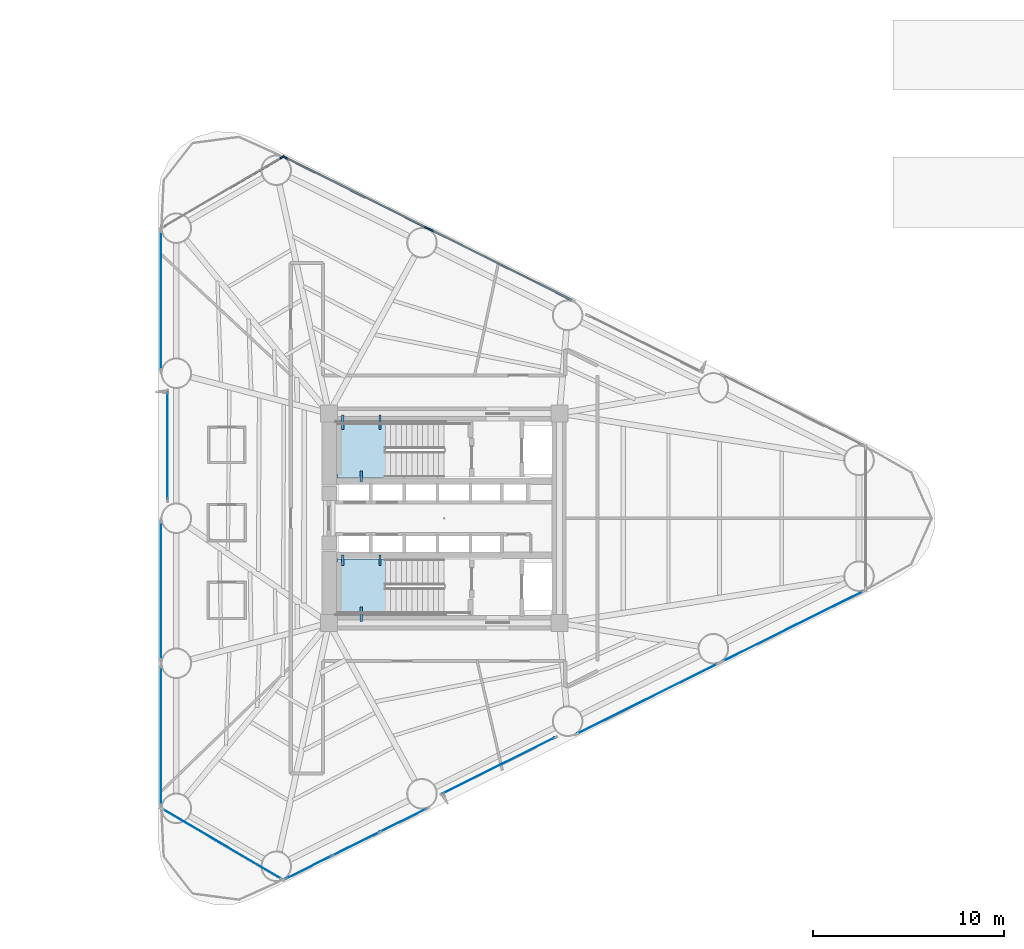
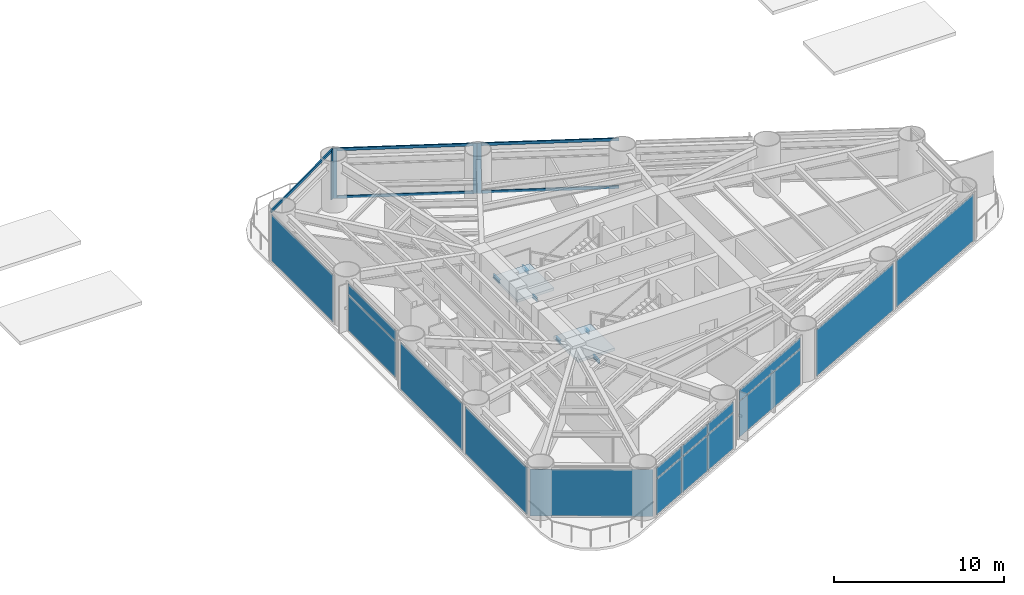
# One storey, part 4 of 10: 16 plates, 9 members, 6 beams, 2 slabs, 14 elements without a shape of their own.
"""IFC4 building model written with IfcOpenShell, lengths in metres."""

from ifc_helpers import new_model, si_unit, direction, frame, origin, origin_2d, place, context, subcontext, project, spatial, polyline, rectangle, i_section, outline, extrude, source, transform, mapped, material, layer, layer_set, material_profile, profile_set, type_object, element, aggregate, save


model = new_model("IFC4")

# Units and contexts
model_context = context("Model", 3, precision=1e-05, world=origin(), true_north=direction((0.0, 1.0)))
body_context = subcontext(model_context, "Body", "Model", "MODEL_VIEW")
ifc_project = project(units=[si_unit("LENGTHUNIT", "METRE"), si_unit("AREAUNIT", "SQUARE_METRE"), si_unit("VOLUMEUNIT", "CUBIC_METRE"), si_unit("PLANEANGLEUNIT", "RADIAN"), si_unit("MASSUNIT", "GRAM", prefix="KILO")], contexts=[model_context])

# Site, building, storey
site_placement = place(None, origin())
site = spatial("IfcSite", under=ifc_project, at=site_placement, CompositionType="ELEMENT")
building_placement = place(site_placement, origin())
building = spatial("IfcBuilding", under=site, at=building_placement, Name="Yunling Apex Tower", CompositionType="ELEMENT")
storey_placement = place(building_placement, frame((0.0, 0.0, 23.800048828125)))
storey = spatial("IfcBuildingStorey", under=building, at=storey_placement, Name="L07", CompositionType="ELEMENT", Elevation=23.800048828125)

# Beams
ifc_material_1 = material(Name="Steel Q355B", Category="steel")
ifc_material_profile_1 = material_profile(ifc_material_1, i_section(OverallWidth=0.125, OverallDepth=0.25, WebThickness=0.006103515625, FlangeThickness=0.009033203125, FilletRadius=0.011962890625, at=origin_2d()))
ifc_profile_set_1 = profile_set([ifc_material_profile_1], Name="Steel Q355B")
beam_type = type_object("IfcBeamType", Name="BL-LNT-1", PredefinedType="LINTEL", material=ifc_profile_set_1)
shared_shape_1 = source(origin(), body_context, "Body", "SweptSolid", [
    extrude(i_section(OverallWidth=0.125, OverallDepth=0.25, WebThickness=0.006103515625, FlangeThickness=0.009033203125, FilletRadius=0.011962890625, at=origin_2d()), origin(), (0.0, 0.0, 1.0), 0.760009765625),
])
for number, where, z_axis, x_axis, name in (
    (1, (-5.320068359375, 5.419921875, 1.530029296875), (0.0, -1.0, 0.0), (1.0, 0.0, 0.0), "L07 ST-1 Landing Bearing Corbel 1-1"),
    (2, (-3.3701171875, 5.419921875, 1.530029296875), (0.0, -1.0, 0.0), (1.0, 0.0, 0.0), "L07 ST-1 Landing Bearing Corbel 1-2"),
    (3, (-4.344970703125, -5.419921875, 1.530029296875), (0.0, 1.0, 0.0), (-1.0, 0.0, 0.0), "L07 ST-2 Landing Bearing Corbel 1-3"),
):
    element("IfcBeam", number, at=place(storey_placement, frame(where, z_axis=z_axis, x_axis=x_axis)), inside=storey, type_object=beam_type, Name=name, PredefinedType="LINTEL", context=body_context, shape_type="MappedRepresentation", body=[
        mapped(shared_shape_1, transform((0.0, 0.0, 0.0), scale=1.0)),
    ])
shared_shape_2 = source(origin(), body_context, "Body", "SweptSolid", [
    extrude(i_section(OverallWidth=0.125, OverallDepth=0.25, WebThickness=0.006103515625, FlangeThickness=0.009033203125, FilletRadius=0.011962890625, at=origin_2d()), origin(), (0.0, 0.0, 1.0), 0.550048828125),
])
for number, where, z_axis, x_axis, name in (
    (4, (-4.344970703125, 1.93994140625, 1.530029296875), (0.0, 1.0, 0.0), (-1.0, 0.0, 0.0), "L07 ST-1 Landing Bearing Corbel 1-3"),
    (5, (-5.320068359375, -1.93994140625, 1.530029296875), (0.0, -1.0, 0.0), (1.0, 0.0, 0.0), "L07 ST-2 Landing Bearing Corbel 1-1"),
    (6, (-3.3701171875, -1.93994140625, 1.530029296875), (0.0, -1.0, 0.0), (1.0, 0.0, 0.0), "L07 ST-2 Landing Bearing Corbel 1-2"),
):
    element("IfcBeam", number, at=place(storey_placement, frame(where, z_axis=z_axis, x_axis=x_axis)), inside=storey, type_object=beam_type, Name=name, PredefinedType="LINTEL", context=body_context, shape_type="MappedRepresentation", body=[
        mapped(shared_shape_2, transform((0.0, 0.0, 0.0), scale=1.0)),
    ])

# Curtain wall, member
ifc_material_2 = material(Name="Bronze anodised aluminium", Category="aluminium")
ifc_layer_1 = layer(ifc_material_2, 0.260009765625)
ifc_layer_set_1 = layer_set([ifc_layer_1], Name="Bronze anodised aluminium")
curtain_wall_type = type_object("IfcCurtainWallType", Name="CW-SYS-2", PredefinedType="NOTDEFINED", material=ifc_layer_set_1)
curtain_wall_1_placement = place(storey_placement, origin())
curtain_wall_1 = element("IfcCurtainWall", 7, at=curtain_wall_1_placement, inside=storey, type_object=curtain_wall_type, Name="CW-L07-F2-B3", PredefinedType="NOTDEFINED")
ifc_material_profile_2 = material_profile(ifc_material_2, rectangle(XDim=0.0849609375, YDim=0.260009765625, at=origin_2d()))
ifc_profile_set_2 = profile_set([ifc_material_profile_2], Name="Bronze anodised aluminium")
member_type_1 = type_object("IfcMemberType", Name="CW-MUL-2", PredefinedType="MULLION", material=ifc_profile_set_2)
shared_shape_3 = source(origin(), body_context, "Body", "SweptSolid", [
    extrude(rectangle(XDim=0.0849609375, YDim=0.260009765625, at=origin_2d()), origin(), (0.0, 0.0, 1.0), 3.614990234375),
])
member_1_placement = place(storey_placement, frame((-0.696533203125, 15.123779296875, -0.050048828125), z_axis=(0.0, 0.0, 1.0), x_axis=(-0.445580190214, -0.895242031011, 0.0)))
member_1 = element("IfcMember", 8, at=member_1_placement, type_object=member_type_1, Name="CW-SYS-2 mullion 2", PredefinedType="MULLION", context=body_context, shape_type="MappedRepresentation", body=[
    mapped(shared_shape_3, transform((0.0, 0.0, 0.0), scale=1.0)),
])

# Curtain wall, members
curtain_wall_2_placement = place(storey_placement, origin())
curtain_wall_2 = element("IfcCurtainWall", 9, at=curtain_wall_2_placement, inside=storey, type_object=curtain_wall_type, Name="CW-L07-F2-B4", PredefinedType="NOTDEFINED")
member_2_placement = place(storey_placement, frame((-0.915771484375, 15.23291015625, -0.050048828125), z_axis=(0.0, 0.0, 1.0), x_axis=(-0.445570625003, -0.895246791748, 0.0)))
member_2 = element("IfcMember", 10, at=member_2_placement, type_object=member_type_1, Name="CW-SYS-2 mullion 1", PredefinedType="MULLION", context=body_context, shape_type="MappedRepresentation", body=[
    mapped(shared_shape_3, transform((0.0, 0.0, 0.0), scale=1.0)),
])
member_3_placement = place(storey_placement, frame((-8.341064453125, 18.928466796875, -0.050048828125), z_axis=(0.0, 0.0, 1.0), x_axis=(-0.445570625003, -0.895246791748, 0.0)))
member_3 = element("IfcMember", 11, at=member_3_placement, type_object=member_type_1, Name="CW-SYS-2 mullion 2", PredefinedType="MULLION", context=body_context, shape_type="MappedRepresentation", body=[
    mapped(shared_shape_3, transform((0.0, 0.0, 0.0), scale=1.0)),
])

# Curtain wall, member
curtain_wall_3_placement = place(storey_placement, origin())
curtain_wall_3 = element("IfcCurtainWall", 12, at=curtain_wall_3_placement, inside=storey, type_object=curtain_wall_type, Name="CW-L07-CRN2", PredefinedType="NOTDEFINED")
member_4_placement = place(storey_placement, frame((-8.49609375, 18.943603515625, -0.050048828125), z_axis=(0.0, 0.0, 1.0), x_axis=(0.506195543811, -0.86241873323, 0.0)))
member_4 = element("IfcMember", 13, at=member_4_placement, type_object=member_type_1, Name="CW-SYS-2 mullion 1", PredefinedType="MULLION", context=body_context, shape_type="MappedRepresentation", body=[
    mapped(shared_shape_3, transform((0.0, 0.0, 0.0), scale=1.0)),
])

# Member
ifc_material_profile_3 = material_profile(ifc_material_2, rectangle(XDim=0.0849609375, YDim=0.199951171875, at=origin_2d()))
ifc_profile_set_3 = profile_set([ifc_material_profile_3], Name="Bronze anodised aluminium")
member_type_2 = type_object("IfcMemberType", Name="CW-TRN-2", PredefinedType="USERDEFINED", material=ifc_profile_set_3)
shared_shape_4 = source(origin(), body_context, "Body", "SweptSolid", [
    extrude(rectangle(XDim=0.0849609375, YDim=0.199951171875, at=origin_2d()), origin(), (0.0, 0.0, 1.0), 8.217529296875),
])
member_5_placement = place(storey_placement, frame((6.6943359375, 11.445068359375, 0.04248046875), z_axis=(-0.895239752613, 0.445584767852, 0.0), x_axis=(-0.445584767852, -0.895239752613, 0.0)))
member_5 = element("IfcMember", 14, at=member_5_placement, type_object=member_type_2, Name="CW-SYS-2 transom 1.1", ObjectType="TRANSOM", PredefinedType="USERDEFINED", context=body_context, shape_type="MappedRepresentation", body=[
    mapped(shared_shape_4, transform((0.0, 0.0, 0.0), scale=1.0)),
])

member_6_placement = place(storey_placement, frame((6.6943359375, 11.445068359375, 3.472412109375), z_axis=(-0.895239752613, 0.445584767852, 0.0), x_axis=(-0.445584767852, -0.895239752613, 0.0)))
member_6 = element("IfcMember", 15, at=member_6_placement, type_object=member_type_2, Name="CW-SYS-2 transom 1.2", ObjectType="TRANSOM", PredefinedType="USERDEFINED", context=body_context, shape_type="MappedRepresentation", body=[
    mapped(shared_shape_4, transform((0.0, 0.0, 0.0), scale=1.0)),
])

aggregate(curtain_wall_1, [member_1, member_5, member_6])

shared_shape_5 = source(origin(), body_context, "Body", "SweptSolid", [
    extrude(rectangle(XDim=0.0849609375, YDim=0.199951171875, at=origin_2d()), origin(), (0.0, 0.0, 1.0), 8.21728515625),
])
member_7_placement = place(storey_placement, frame((-0.9501953125, 15.25, 0.04248046875), z_axis=(-0.895245705371, 0.445572807761, 0.0), x_axis=(-0.445572807761, -0.895245705371, 0.0)))
member_7 = element("IfcMember", 16, at=member_7_placement, type_object=member_type_2, Name="CW-SYS-2 transom 1.1", ObjectType="TRANSOM", PredefinedType="USERDEFINED", context=body_context, shape_type="MappedRepresentation", body=[
    mapped(shared_shape_5, transform((0.0, 0.0, 0.0), scale=1.0)),
])

member_8_placement = place(storey_placement, frame((-0.9501953125, 15.25, 3.472412109375), z_axis=(-0.895245705371, 0.445572807761, 0.0), x_axis=(-0.445572807761, -0.895245705371, 0.0)))
member_8 = element("IfcMember", 17, at=member_8_placement, type_object=member_type_2, Name="CW-SYS-2 transom 1.2", ObjectType="TRANSOM", PredefinedType="USERDEFINED", context=body_context, shape_type="MappedRepresentation", body=[
    mapped(shared_shape_5, transform((0.0, 0.0, 0.0), scale=1.0)),
])

aggregate(curtain_wall_2, [member_2, member_3, member_7, member_8])

shared_shape_6 = source(origin(), body_context, "Body", "SweptSolid", [
    extrude(rectangle(XDim=0.0849609375, YDim=0.199951171875, at=origin_2d()), origin(), (0.0, 0.0, 1.0), 7.239501953125),
])
member_9_placement = place(storey_placement, frame((-8.529052734375, 18.92431640625, 3.472412109375), z_axis=(-0.862419304353, -0.506194570772, 0.0), x_axis=(0.506194570772, -0.862419304353, 0.0)))
member_9 = element("IfcMember", 18, at=member_9_placement, type_object=member_type_2, Name="CW-SYS-2 transom 1.2", ObjectType="TRANSOM", PredefinedType="USERDEFINED", context=body_context, shape_type="MappedRepresentation", body=[
    mapped(shared_shape_6, transform((0.0, 0.0, 0.0), scale=1.0)),
])

aggregate(curtain_wall_3, [member_4, member_9])

# Stair, slab
ifc_material_3 = material(Name="Concrete C40", Category="concrete")
stair_type = type_object("IfcStairType", Name="ST-TWR-1", PredefinedType="HALF_TURN_STAIR", material=ifc_material_3)
stair_1_placement = place(storey_placement, origin())
stair_1 = element("IfcStair", 19, at=stair_1_placement, inside=storey, type_object=stair_type, Name="L07 North Core Smokeproof Exit Stair ST-1", PredefinedType="HALF_TURN_STAIR")
ifc_layer_2 = layer(ifc_material_3, 0.195068359375)
ifc_layer_set_2 = layer_set([ifc_layer_2], Name="Concrete C40")
slab_type = type_object("IfcSlabType", Name="SL-LND-1", PredefinedType="LANDING", material=ifc_layer_set_2)
slab_1_placement = place(storey_placement, frame((0.0, 0.0, 1.655029296875)))
slab_1 = element("IfcSlab", 20, at=slab_1_placement, type_object=slab_type, Name="ST-1 landing 1", PredefinedType="LANDING", context=body_context, shape_type="SweptSolid", body=[
    extrude(outline(polyline([(-3.090087890625, 5.010009765625), (-5.60009765625, 5.010009765625), (-5.60009765625, 2.139892578125), (-3.090087890625, 2.139892578125), (-3.090087890625, 5.010009765625)])), origin(), (0.0, 0.0, 1.0), 0.19482421875),
])
aggregate(stair_1, [slab_1])

stair_2_placement = place(storey_placement, origin())
stair_2 = element("IfcStair", 21, at=stair_2_placement, inside=storey, type_object=stair_type, Name="L07 South Core Smokeproof Exit Stair ST-2", PredefinedType="HALF_TURN_STAIR")
slab_2_placement = place(storey_placement, frame((0.0, 0.0, 1.655029296875)))
slab_2 = element("IfcSlab", 22, at=slab_2_placement, type_object=slab_type, Name="ST-2 landing 1", PredefinedType="LANDING", context=body_context, shape_type="SweptSolid", body=[
    extrude(outline(polyline([(-3.090087890625, -2.139892578125), (-5.60009765625, -2.139892578125), (-5.60009765625, -5.010009765625), (-3.090087890625, -5.010009765625), (-3.090087890625, -2.139892578125)])), origin(), (0.0, 0.0, 1.0), 0.19482421875),
])
aggregate(stair_2, [slab_2])

# Curtain wall, plates
curtain_wall_4_placement = place(storey_placement, origin())
curtain_wall_4 = element("IfcCurtainWall", 23, at=curtain_wall_4_placement, inside=storey, type_object=curtain_wall_type, Name="CW-L07-F1-B1", PredefinedType="NOTDEFINED")
ifc_material_4 = material(Name="Bronze tinted low-E glass", Category="glass")
ifc_layer_3 = layer(ifc_material_4, 0.033935546875)
ifc_layer_set_3 = layer_set([ifc_layer_3], Name="Bronze tinted low-E glass")
plate_type = type_object("IfcPlateType", Name="CW-PNL-2", PredefinedType="CURTAIN_PANEL", material=ifc_layer_set_3)
shared_shape_7 = source(origin(), body_context, "Body", "SweptSolid", [
    extrude(rectangle(XDim=2.681884765625, YDim=0.033935546875, at=origin_2d()), origin(), (0.0, 0.0, 1.0), 2.560302734375),
])
plate_1_placement = place(storey_placement, frame((-7.10986328125, -18.315673828125, 0.07666015625), z_axis=(0.0, 0.0, 1.0), x_axis=(0.895246791748, 0.445570625003, 0.0)))
plate_1 = element("IfcPlate", 24, at=plate_1_placement, type_object=plate_type, Name="CW-SYS-2 panel 1.1", PredefinedType="CURTAIN_PANEL", context=body_context, shape_type="MappedRepresentation", body=[
    mapped(shared_shape_7, transform((0.0, 0.0, 0.0), scale=1.0)),
])
plate_2_placement = place(storey_placement, frame((-2.14697265625, -15.845703125, 0.07666015625), z_axis=(0.0, 0.0, 1.0), x_axis=(0.895246791748, 0.445570625003, 0.0)))
plate_2 = element("IfcPlate", 25, at=plate_2_placement, type_object=plate_type, Name="CW-SYS-2 panel 3.1", PredefinedType="CURTAIN_PANEL", context=body_context, shape_type="MappedRepresentation", body=[
    mapped(shared_shape_7, transform((0.0, 0.0, 0.0), scale=1.0)),
])
shared_shape_8 = source(origin(), body_context, "Body", "SweptSolid", [
    extrude(rectangle(XDim=2.681884765625, YDim=0.033935546875, at=origin_2d()), origin(), (0.0, 0.0, 1.0), 0.732666015625),
])
plate_3_placement = place(storey_placement, frame((-7.10986328125, -18.315673828125, 2.70556640625), z_axis=(0.0, 0.0, 1.0), x_axis=(0.895246791748, 0.445570625003, 0.0)))
plate_3 = element("IfcPlate", 26, at=plate_3_placement, type_object=plate_type, Name="CW-SYS-2 panel 1.2", PredefinedType="CURTAIN_PANEL", context=body_context, shape_type="MappedRepresentation", body=[
    mapped(shared_shape_8, transform((0.0, 0.0, 0.0), scale=1.0)),
])
plate_4_placement = place(storey_placement, frame((-2.14697265625, -15.845703125, 2.70556640625), z_axis=(0.0, 0.0, 1.0), x_axis=(0.895246791748, 0.445570625003, 0.0)))
plate_4 = element("IfcPlate", 27, at=plate_4_placement, type_object=plate_type, Name="CW-SYS-2 panel 3.2", PredefinedType="CURTAIN_PANEL", context=body_context, shape_type="MappedRepresentation", body=[
    mapped(shared_shape_8, transform((0.0, 0.0, 0.0), scale=1.0)),
])
shared_shape_9 = source(origin(), body_context, "Body", "SweptSolid", [
    extrude(rectangle(XDim=2.724365234375, YDim=0.033935546875, at=origin_2d()), origin(), (0.0, 0.0, 1.0), 2.560302734375),
])
plate_5_placement = place(storey_placement, frame((-4.62841796875, -17.08056640625, 0.07666015625), z_axis=(0.0, 0.0, 1.0), x_axis=(0.895246791748, 0.445570625003, 0.0)))
plate_5 = element("IfcPlate", 28, at=plate_5_placement, type_object=plate_type, Name="CW-SYS-2 panel 2.1", PredefinedType="CURTAIN_PANEL", context=body_context, shape_type="MappedRepresentation", body=[
    mapped(shared_shape_9, transform((0.0, 0.0, 0.0), scale=1.0)),
])
shared_shape_10 = source(origin(), body_context, "Body", "SweptSolid", [
    extrude(rectangle(XDim=2.724365234375, YDim=0.033935546875, at=origin_2d()), origin(), (0.0, 0.0, 1.0), 0.732666015625),
])
plate_6_placement = place(storey_placement, frame((-4.62841796875, -17.08056640625, 2.70556640625), z_axis=(0.0, 0.0, 1.0), x_axis=(0.895246791748, 0.445570625003, 0.0)))
plate_6 = element("IfcPlate", 29, at=plate_6_placement, type_object=plate_type, Name="CW-SYS-2 panel 2.2", PredefinedType="CURTAIN_PANEL", context=body_context, shape_type="MappedRepresentation", body=[
    mapped(shared_shape_10, transform((0.0, 0.0, 0.0), scale=1.0)),
])
aggregate(curtain_wall_4, [plate_1, plate_3, plate_5, plate_6, plate_2, plate_4])

# Curtain wall, plate
curtain_wall_5_placement = place(storey_placement, origin())
curtain_wall_5 = element("IfcCurtainWall", 30, at=curtain_wall_5_placement, inside=storey, type_object=curtain_wall_type, Name="CW-L07-F1-B3", PredefinedType="NOTDEFINED")
shared_shape_11 = source(origin(), body_context, "Body", "SweptSolid", [
    extrude(rectangle(XDim=8.225341796875, YDim=0.033935546875, at=origin_2d()), origin(), (0.0, 0.0, 1.0), 3.361572265625),
])
plate_7_placement = place(storey_placement, frame((10.660400390625, -9.47119140625, 0.07666015625), z_axis=(0.0, 0.0, 1.0), x_axis=(0.895246791748, 0.445570625003, 0.0)))
plate_7 = element("IfcPlate", 31, at=plate_7_placement, type_object=plate_type, Name="CW-SYS-2 panel 1.1", PredefinedType="CURTAIN_PANEL", context=body_context, shape_type="MappedRepresentation", body=[
    mapped(shared_shape_11, transform((0.0, 0.0, 0.0), scale=1.0)),
])
aggregate(curtain_wall_5, [plate_7])

curtain_wall_6_placement = place(storey_placement, origin())
curtain_wall_6 = element("IfcCurtainWall", 32, at=curtain_wall_6_placement, inside=storey, type_object=curtain_wall_type, Name="CW-L07-F1-B4", PredefinedType="NOTDEFINED")
plate_8_placement = place(storey_placement, frame((18.304931640625, -5.666259765625, 0.07666015625), z_axis=(0.0, 0.0, 1.0), x_axis=(0.895242031011, 0.445580190214, 0.0)))
plate_8 = element("IfcPlate", 33, at=plate_8_placement, type_object=plate_type, Name="CW-SYS-2 panel 1.1", PredefinedType="CURTAIN_PANEL", context=body_context, shape_type="MappedRepresentation", body=[
    mapped(shared_shape_11, transform((0.0, 0.0, 0.0), scale=1.0)),
])
aggregate(curtain_wall_6, [plate_8])

curtain_wall_7_placement = place(storey_placement, origin())
curtain_wall_7 = element("IfcCurtainWall", 34, at=curtain_wall_7_placement, inside=storey, type_object=curtain_wall_type, Name="CW-L07-CRN3", PredefinedType="NOTDEFINED")
shared_shape_12 = source(origin(), body_context, "Body", "SweptSolid", [
    extrude(rectangle(XDim=7.247314453125, YDim=0.033935546875, at=origin_2d()), origin(), (0.0, 0.0, 1.0), 3.361572265625),
])
plate_9_placement = place(storey_placement, frame((-11.650634765625, -17.092041015625, 0.07666015625), z_axis=(0.0, 0.0, 1.0), x_axis=(0.86241873323, -0.506195543811, 0.0)))
plate_9 = element("IfcPlate", 35, at=plate_9_placement, type_object=plate_type, Name="CW-SYS-2 panel 1.1", PredefinedType="CURTAIN_PANEL", context=body_context, shape_type="MappedRepresentation", body=[
    mapped(shared_shape_12, transform((0.0, 0.0, 0.0), scale=1.0)),
])
aggregate(curtain_wall_7, [plate_9])

curtain_wall_8_placement = place(storey_placement, origin())
curtain_wall_8 = element("IfcCurtainWall", 36, at=curtain_wall_8_placement, inside=storey, type_object=curtain_wall_type, Name="CW-L07-F3-B1", PredefinedType="NOTDEFINED")
shared_shape_13 = source(origin(), body_context, "Body", "SweptSolid", [
    extrude(rectangle(XDim=7.2958984375, YDim=0.033935546875, at=origin_2d()), origin(), (0.0, 0.0, 1.0), 3.361572265625),
])
plate_10_placement = place(storey_placement, frame((-14.862060546875, 11.414306640625, 0.07666015625), z_axis=(0.0, 0.0, 1.0), x_axis=(0.0, -1.0, 0.0)))
plate_10 = element("IfcPlate", 37, at=plate_10_placement, type_object=plate_type, Name="CW-SYS-2 panel 1.1", PredefinedType="CURTAIN_PANEL", context=body_context, shape_type="MappedRepresentation", body=[
    mapped(shared_shape_13, transform((0.0, 0.0, 0.0), scale=1.0)),
])
aggregate(curtain_wall_8, [plate_10])

curtain_wall_9_placement = place(storey_placement, origin())
curtain_wall_9 = element("IfcCurtainWall", 38, at=curtain_wall_9_placement, inside=storey, type_object=curtain_wall_type, Name="CW-L07-F3-B3", PredefinedType="NOTDEFINED")
plate_11_placement = place(storey_placement, frame((-14.862060546875, -3.8046875, 0.07666015625), z_axis=(0.0, 0.0, 1.0), x_axis=(0.0, -1.0, 0.0)))
plate_11 = element("IfcPlate", 39, at=plate_11_placement, type_object=plate_type, Name="CW-SYS-2 panel 1.1", PredefinedType="CURTAIN_PANEL", context=body_context, shape_type="MappedRepresentation", body=[
    mapped(shared_shape_13, transform((0.0, 0.0, 0.0), scale=1.0)),
])
aggregate(curtain_wall_9, [plate_11])

curtain_wall_10_placement = place(storey_placement, origin())
curtain_wall_10 = element("IfcCurtainWall", 40, at=curtain_wall_10_placement, inside=storey, type_object=curtain_wall_type, Name="CW-L07-F3-B4", PredefinedType="NOTDEFINED")
plate_12_placement = place(storey_placement, frame((-14.862060546875, -11.414306640625, 0.07666015625), z_axis=(0.0, 0.0, 1.0), x_axis=(0.0, -1.0, 0.0)))
plate_12 = element("IfcPlate", 41, at=plate_12_placement, type_object=plate_type, Name="CW-SYS-2 panel 1.1", PredefinedType="CURTAIN_PANEL", context=body_context, shape_type="MappedRepresentation", body=[
    mapped(shared_shape_13, transform((0.0, 0.0, 0.0), scale=1.0)),
])
aggregate(curtain_wall_10, [plate_12])

# Curtain wall, plates
curtain_wall_11_placement = place(storey_placement, origin())
curtain_wall_11 = element("IfcCurtainWall", 42, at=curtain_wall_11_placement, inside=storey, type_object=curtain_wall_type, Name="CW-L07-F1-B2", PredefinedType="NOTDEFINED")
shared_shape_14 = source(origin(), body_context, "Body", "SweptSolid", [
    extrude(rectangle(XDim=6.545654296875, YDim=0.033935546875, at=origin_2d()), origin(), (0.0, 0.0, 1.0), 2.560302734375),
])
plate_13_placement = place(storey_placement, frame((2.864501953125, -12.971435546875, 0.07666015625), z_axis=(0.0, 0.0, 1.0), x_axis=(0.895240741459, 0.445582781121, 0.0)))
plate_13 = element("IfcPlate", 43, at=plate_13_placement, type_object=plate_type, Name="CW-SYS-2 panel 1.1", PredefinedType="CURTAIN_PANEL", context=body_context, shape_type="MappedRepresentation", body=[
    mapped(shared_shape_14, transform((0.0, 0.0, 0.0), scale=1.0)),
])
shared_shape_15 = source(origin(), body_context, "Body", "SweptSolid", [
    extrude(rectangle(XDim=6.545654296875, YDim=0.033935546875, at=origin_2d()), origin(), (0.0, 0.0, 1.0), 0.732666015625),
])
plate_14_placement = place(storey_placement, frame((2.864501953125, -12.971435546875, 2.70556640625), z_axis=(0.0, 0.0, 1.0), x_axis=(0.895240741459, 0.445582781121, 0.0)))
plate_14 = element("IfcPlate", 44, at=plate_14_placement, type_object=plate_type, Name="CW-SYS-2 panel 1.2", PredefinedType="CURTAIN_PANEL", context=body_context, shape_type="MappedRepresentation", body=[
    mapped(shared_shape_15, transform((0.0, 0.0, 0.0), scale=1.0)),
])
aggregate(curtain_wall_11, [plate_13, plate_14])

curtain_wall_12_placement = place(storey_placement, origin())
curtain_wall_12 = element("IfcCurtainWall", 45, at=curtain_wall_12_placement, inside=storey, type_object=curtain_wall_type, Name="CW-L07-F3-B2", PredefinedType="NOTDEFINED")
shared_shape_16 = source(origin(), body_context, "Body", "SweptSolid", [
    extrude(rectangle(XDim=5.615966796875, YDim=0.033935546875, at=origin_2d()), origin(), (0.0, 0.0, 1.0), 2.560302734375),
])
plate_15_placement = place(storey_placement, frame((-14.52197265625, 3.8046875, 0.07666015625), z_axis=(0.0, 0.0, 1.0), x_axis=(0.0, -1.0, 0.0)))
plate_15 = element("IfcPlate", 46, at=plate_15_placement, type_object=plate_type, Name="CW-SYS-2 panel 1.1", PredefinedType="CURTAIN_PANEL", context=body_context, shape_type="MappedRepresentation", body=[
    mapped(shared_shape_16, transform((0.0, 0.0, 0.0), scale=1.0)),
])
shared_shape_17 = source(origin(), body_context, "Body", "SweptSolid", [
    extrude(rectangle(XDim=5.615966796875, YDim=0.033935546875, at=origin_2d()), origin(), (0.0, 0.0, 1.0), 0.732666015625),
])
plate_16_placement = place(storey_placement, frame((-14.52197265625, 3.8046875, 2.70556640625), z_axis=(0.0, 0.0, 1.0), x_axis=(0.0, -1.0, 0.0)))
plate_16 = element("IfcPlate", 47, at=plate_16_placement, type_object=plate_type, Name="CW-SYS-2 panel 1.2", PredefinedType="CURTAIN_PANEL", context=body_context, shape_type="MappedRepresentation", body=[
    mapped(shared_shape_17, transform((0.0, 0.0, 0.0), scale=1.0)),
])
aggregate(curtain_wall_12, [plate_15, plate_16])

save(model, "model.ifc")
